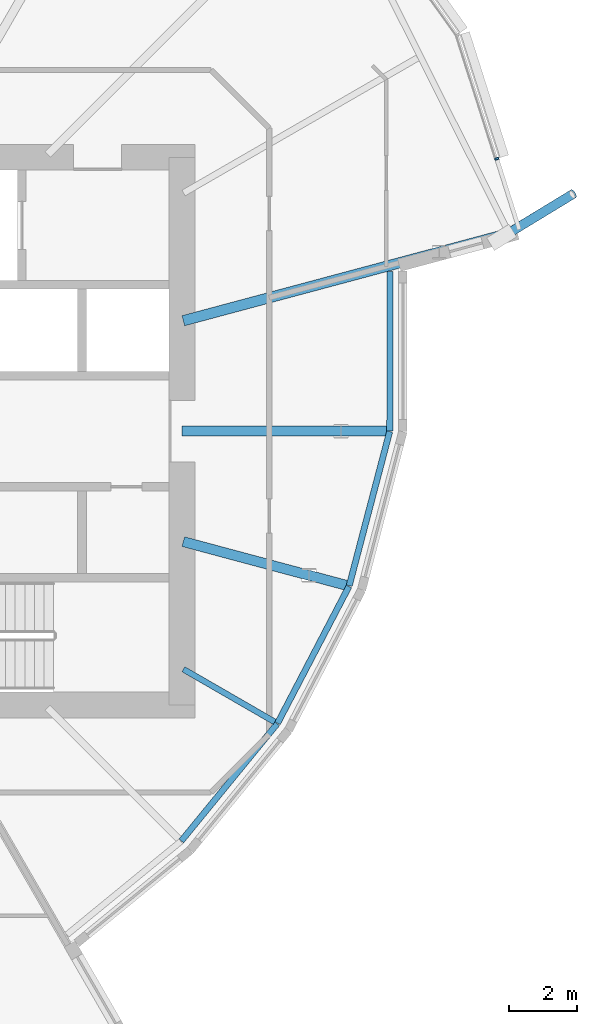
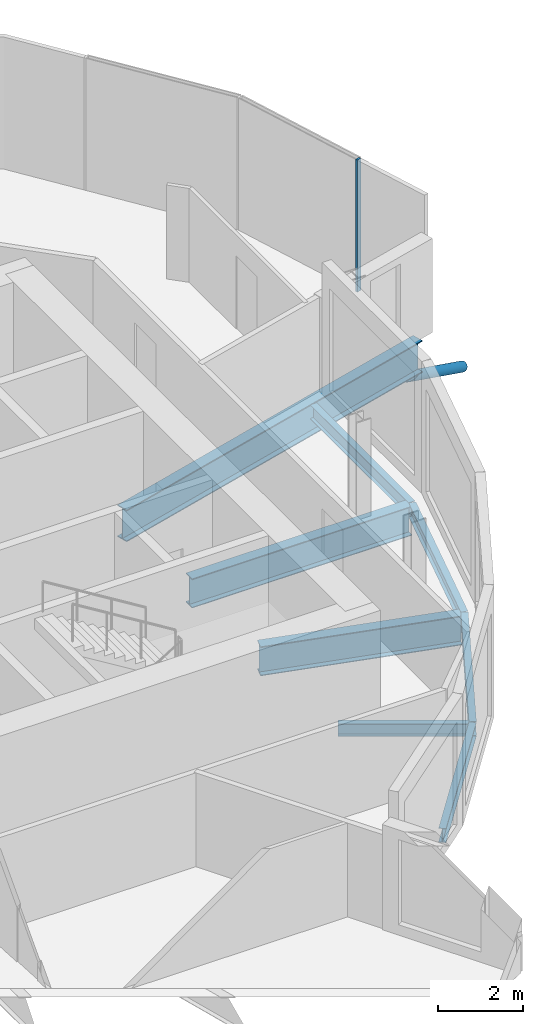
# One storey, part 16 of 38: 8 beams, 2 members, 1 element without a shape of its own.
"""IFC4 building model written with IfcOpenShell, lengths in metres."""

from ifc_helpers import new_model, si_unit, direction, frame, origin, origin_2d, place, context, subcontext, project, spatial, rectangle, hollow_circle, i_section, extrude, clip, halfspace, material, material_profile, profile_set, type_object, element, aggregate, save


model = new_model("IFC4")

# Units and contexts
model_context = context("Model", 3, precision=1e-05, world=origin(), true_north=direction((0.0, 1.0)))
body_context = subcontext(model_context, "Body", "Model", "MODEL_VIEW")
ifc_project = project(units=[si_unit("LENGTHUNIT", "METRE"), si_unit("AREAUNIT", "SQUARE_METRE"), si_unit("VOLUMEUNIT", "CUBIC_METRE"), si_unit("PLANEANGLEUNIT", "RADIAN"), si_unit("MASSUNIT", "GRAM", prefix="KILO")], contexts=[model_context])

# Site, building, storey
site_placement = place(None, origin())
site = spatial("IfcSite", under=ifc_project, at=site_placement, CompositionType="ELEMENT")
building_placement = place(site_placement, origin())
building = spatial("IfcBuilding", under=site, at=building_placement, Name="Rimbun Link Towers", CompositionType="ELEMENT")
storey_placement = place(building_placement, frame((0.0, 0.0, 108.199951171875)))
storey = spatial("IfcBuildingStorey", under=building, at=storey_placement, Name="L26", CompositionType="ELEMENT", Elevation=108.199951171875)

# Curtain wall, member
ifc_material_1 = material(Name="Aluminium 6063-T6 and low-iron glass", Category="aluminium")
curtain_wall_type = type_object("IfcCurtainWallType", Name="CW1-Z2 unitised vision wall (zone 2)", PredefinedType="NOTDEFINED", material=ifc_material_1)
curtain_wall_placement = place(storey_placement, origin())
curtain_wall = element("IfcCurtainWall", 1, at=curtain_wall_placement, inside=storey, type_object=curtain_wall_type, Name="CW1 L26 T2", PredefinedType="NOTDEFINED")
ifc_material_2 = material(Name="Aluminium 6063-T6", Category="aluminium")
ifc_material_profile_1 = material_profile(ifc_material_2, rectangle(XDim=0.1201171875, YDim=0.06005859375, at=origin_2d()), Name="MULLION 60X120")
ifc_profile_set_1 = profile_set([ifc_material_profile_1], Name="Aluminium 6063-T6")
member_type_1 = type_object("IfcMemberType", Name="CW1 mullion 60X120", PredefinedType="MULLION", material=ifc_profile_set_1)
member_1_placement = place(storey_placement, frame((52.947021484375, 7.957763671875, 0.0), z_axis=(0.0, 0.0, 1.0), x_axis=(0.952972314709, 0.303057366512, 0.0)))
member_1 = element("IfcMember", 2, at=member_1_placement, type_object=member_type_1, Name="CW1 mullion", PredefinedType="MULLION", context=body_context, shape_type="SweptSolid", body=[
    extrude(rectangle(XDim=0.1201171875, YDim=0.06005859375, at=origin_2d()), origin(), (0.0, 0.0, 1.0), 3.800048828125),
])
aggregate(curtain_wall, [member_1])

# Member
ifc_material_3 = material(Name="Steel S355J2H", Category="steel")
ifc_material_profile_2 = material_profile(ifc_material_3, hollow_circle(Radius=0.136474609375, WallThickness=0.012451171875, at=origin_2d()), Name="CHS 273x12.5")
ifc_profile_set_2 = profile_set([ifc_material_profile_2], Name="Steel S355J2H")
member_type_2 = type_object("IfcMemberType", Name="Floor edge link CHS 273x12.5", PredefinedType="BRACE", material=ifc_profile_set_2)
member_2_placement = place(storey_placement, frame((53.259521484375, 5.763427734375, -1.19970703125), z_axis=(0.761835377616, 0.463519938544, -0.452499860756), x_axis=(-0.519778430708, 0.854301107907, 0.0)))
element("IfcMember", 3, at=member_2_placement, inside=storey, type_object=member_type_2, Name="Floor edge link T2 L26 22", PredefinedType="BRACE", context=body_context, shape_type="Clipping", body=[
    clip(extrude(hollow_circle(Radius=0.136474609375, WallThickness=0.012451171875, at=origin_2d()), frame((0.0, 0.0, -0.56005859375)), (0.0, 0.0, 1.0), 3.085693359375), halfspace(frame((0.0, 0.0, -0.263671875), z_axis=(0.0, 0.891764473398, -0.452499860756)), False)),
])

# Beams
ifc_material_4 = material(Name="Steel S355J2", Category="steel")
ifc_material_profile_3 = material_profile(ifc_material_4, i_section(OverallWidth=0.17138671875, OverallDepth=0.35498046875, WebThickness=0.00732421875, FlangeThickness=0.011474609375, at=origin_2d()), Name="UB 356x171x51")
ifc_profile_set_3 = profile_set([ifc_material_profile_3], Name="Steel S355J2")
beam_type_1 = type_object("IfcBeamType", Name="UB 356x171x51", PredefinedType="BEAM", material=ifc_profile_set_3)
beam_1_placement = place(storey_placement, frame((43.793701171875, -6.95361328125, -0.33740234375), z_axis=(0.866049645853, -0.499958009155, 0.0), x_axis=(0.499958009155, 0.866049645853, 0.0)))
element("IfcBeam", 4, at=beam_1_placement, inside=storey, type_object=beam_type_1, Name="Radial beam T2 L26 19", PredefinedType="BEAM", context=body_context, shape_type="SweptSolid", body=[
    extrude(i_section(OverallWidth=0.17138671875, OverallDepth=0.35498046875, WebThickness=0.00732421875, FlangeThickness=0.011474609375, at=origin_2d()), origin(), (0.0, 0.0, 1.0), 3.080322265625),
])
ifc_material_5 = material(Name="Steel S355J2", Category="steel")
ifc_material_profile_4 = material_profile(ifc_material_5, i_section(OverallWidth=0.177978515625, OverallDepth=0.406494140625, WebThickness=0.0078125, FlangeThickness=0.0126953125, at=origin_2d()), Name="UB 406x178x60")
ifc_profile_set_4 = profile_set([ifc_material_profile_4], Name="Steel S355J2")
beam_type_2 = type_object("IfcBeamType", Name="UB 406x178x60", PredefinedType="BEAM", material=ifc_profile_set_4)
beam_2_placement = place(storey_placement, frame((43.732421875, -11.968505859375, -0.363037109375), z_axis=(0.633321969167, 0.773888417907, 0.0), x_axis=(-0.773888417907, 0.633321969167, 0.0)))
element("IfcBeam", 5, at=beam_2_placement, inside=storey, type_object=beam_type_2, Name="Edge beam T2 L26 18 recess", PredefinedType="BEAM", context=body_context, shape_type="SweptSolid", body=[
    extrude(i_section(OverallWidth=0.177978515625, OverallDepth=0.406494140625, WebThickness=0.0078125, FlangeThickness=0.0126953125, at=origin_2d()), origin(), (0.0, 0.0, 1.0), 4.421875),
])
beam_3_placement = place(storey_placement, frame((46.544189453125, -8.52978515625, -0.363037109375), z_axis=(0.462595625847, 0.886569392065, 0.0), x_axis=(-0.886569392065, 0.462595625847, 0.0)))
element("IfcBeam", 6, at=beam_3_placement, inside=storey, type_object=beam_type_2, Name="Edge beam T2 L26 19 recess", PredefinedType="BEAM", context=body_context, shape_type="SweptSolid", body=[
    extrude(i_section(OverallWidth=0.177978515625, OverallDepth=0.406494140625, WebThickness=0.0078125, FlangeThickness=0.0126953125, at=origin_2d()), origin(), (0.0, 0.0, 1.0), 4.507080078125),
])
beam_4_placement = place(storey_placement, frame((48.636962890625, -4.513427734375, -0.363037109375), z_axis=(0.25380119779, 0.967256404476, 0.0), x_axis=(-0.967256404476, 0.25380119779, 0.0)))
element("IfcBeam", 7, at=beam_4_placement, inside=storey, type_object=beam_type_2, Name="Edge beam T2 L26 20 recess", PredefinedType="BEAM", context=body_context, shape_type="SweptSolid", body=[
    extrude(i_section(OverallWidth=0.177978515625, OverallDepth=0.406494140625, WebThickness=0.0078125, FlangeThickness=0.0126953125, at=origin_2d()), origin(), (0.0, 0.0, 1.0), 4.65380859375),
])
beam_5_placement = place(storey_placement, frame((49.8212890625, 0.012451171875, -0.363037109375), z_axis=(0.001628063595, 0.999998674704, 0.0), x_axis=(-0.999998674704, 0.001628063595, 0.0)))
element("IfcBeam", 8, at=beam_5_placement, inside=storey, type_object=beam_type_2, Name="Edge beam T2 L26 21 recess", PredefinedType="BEAM", context=body_context, shape_type="SweptSolid", body=[
    extrude(i_section(OverallWidth=0.177978515625, OverallDepth=0.406494140625, WebThickness=0.0078125, FlangeThickness=0.0126953125, at=origin_2d()), origin(), (0.0, 0.0, 1.0), 4.648681640625),
])
ifc_material_6 = material(Name="Steel S355J2", Category="steel")
ifc_material_profile_5 = material_profile(ifc_material_6, i_section(OverallWidth=0.29248046875, OverallDepth=0.8408203125, WebThickness=0.0126953125, FlangeThickness=0.021728515625, at=origin_2d()), Name="UB 838x292x194")
ifc_profile_set_5 = profile_set([ifc_material_profile_5], Name="Steel S355J2")
beam_type_3 = type_object("IfcBeamType", Name="UB 838x292x194", PredefinedType="BEAM", material=ifc_profile_set_5)
beam_6_placement = place(storey_placement, frame((43.788818359375, -3.225830078125, -0.580322265625), z_axis=(0.965926592168, -0.258816186787, 0.0), x_axis=(0.258816186787, 0.965926592168, 0.0)))
element("IfcBeam", 9, at=beam_6_placement, inside=storey, type_object=beam_type_3, Name="Radial beam T2 L26 20", PredefinedType="BEAM", context=body_context, shape_type="SweptSolid", body=[
    extrude(i_section(OverallWidth=0.29248046875, OverallDepth=0.8408203125, WebThickness=0.0126953125, FlangeThickness=0.021728515625, at=origin_2d()), origin(), (0.0, 0.0, 1.0), 4.92578125),
])
beam_7_placement = place(storey_placement, frame((43.7509765625, 0.0, -0.580322265625), z_axis=(1.0, 0.0, 0.0), x_axis=(0.0, 1.0, 0.0)))
element("IfcBeam", 10, at=beam_7_placement, inside=storey, type_object=beam_type_3, Name="Radial beam T2 L26 21", PredefinedType="BEAM", context=body_context, shape_type="SweptSolid", body=[
    extrude(i_section(OverallWidth=0.29248046875, OverallDepth=0.8408203125, WebThickness=0.0126953125, FlangeThickness=0.021728515625, at=origin_2d()), origin(), (0.0, 0.0, 1.0), 5.979736328125),
])
ifc_material_7 = material(Name="Steel S355J2", Category="steel")
ifc_material_profile_6 = material_profile(ifc_material_7, i_section(OverallWidth=0.305419921875, OverallDepth=0.91845703125, WebThickness=0.017333984375, FlangeThickness=0.02783203125, at=origin_2d()), Name="UB 914x305x253")
ifc_profile_set_6 = profile_set([ifc_material_profile_6], Name="Steel S355J2")
beam_type_4 = type_object("IfcBeamType", Name="UB 914x305x253", PredefinedType="BEAM", material=ifc_profile_set_6)
beam_8_placement = place(storey_placement, frame((43.79052734375, 3.226318359375, -0.619140625), z_axis=(0.96592869659, 0.258808332757, 0.0), x_axis=(-0.258808332757, 0.96592869659, 0.0)))
element("IfcBeam", 11, at=beam_8_placement, inside=storey, type_object=beam_type_4, Name="Radial beam T2 L26 22", PredefinedType="BEAM", context=body_context, shape_type="SweptSolid", body=[
    extrude(i_section(OverallWidth=0.305419921875, OverallDepth=0.91845703125, WebThickness=0.017333984375, FlangeThickness=0.02783203125, at=origin_2d()), origin(), (0.0, 0.0, 1.0), 9.85302734375),
])

save(model, "model.ifc")
